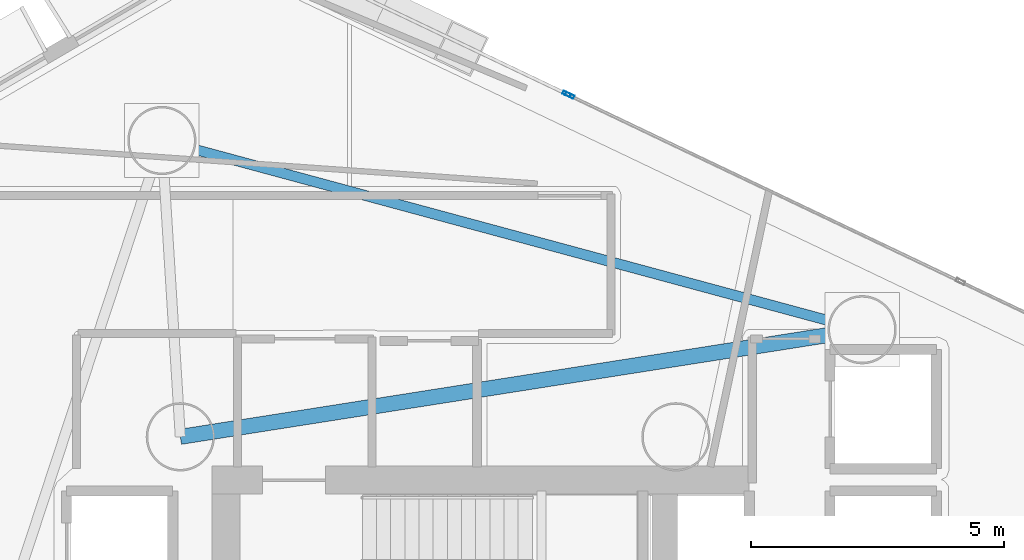
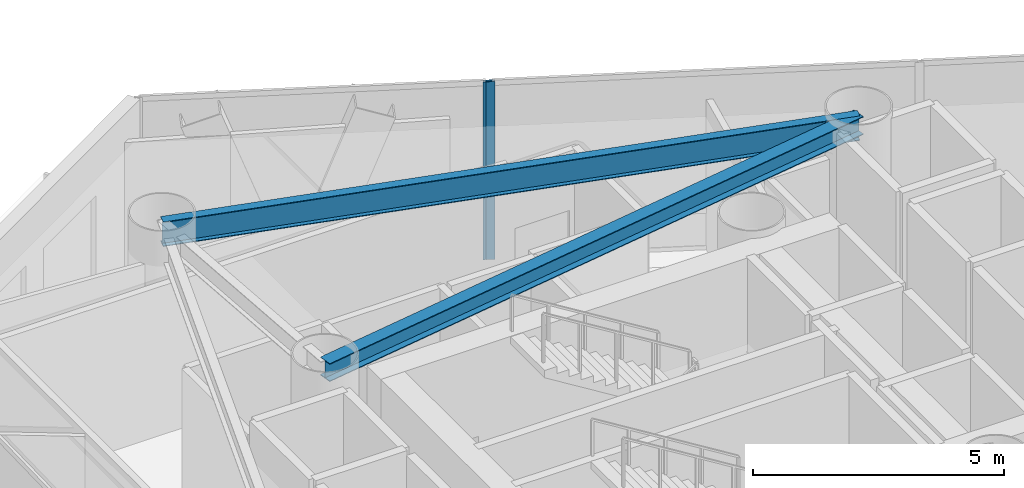
# One storey, part 10 of 21: 2 beams, 2 members, 2 elements without a shape of their own.
"""IFC4 building model written with IfcOpenShell, lengths in metres."""

from ifc_helpers import new_model, si_unit, direction, frame, origin, origin_2d, place, context, subcontext, project, spatial, hollow_rectangle, i_section, extrude, material, layer, layer_set, material_profile, profile_set, type_object, element, aggregate, save


model = new_model("IFC4")

# Units and contexts
model_context = context("Model", 3, precision=1e-05, world=origin(), true_north=direction((0.0, 1.0)))
body_context = subcontext(model_context, "Body", "Model", "MODEL_VIEW")
ifc_project = project(units=[si_unit("LENGTHUNIT", "METRE"), si_unit("AREAUNIT", "SQUARE_METRE"), si_unit("VOLUMEUNIT", "CUBIC_METRE"), si_unit("PLANEANGLEUNIT", "RADIAN"), si_unit("MASSUNIT", "GRAM", prefix="KILO")], contexts=[model_context])

# Site, building, storey
site_placement = place(None, origin())
site = spatial("IfcSite", under=ifc_project, at=site_placement, CompositionType="ELEMENT")
building_placement = place(site_placement, origin())
building = spatial("IfcBuilding", under=site, at=building_placement, Name="Qianvela Tower", CompositionType="ELEMENT")
storey_placement = place(building_placement, frame((0.0, 0.0, 143.10009765625)))
storey = spatial("IfcBuildingStorey", under=building, at=storey_placement, Name="L36", CompositionType="ELEMENT", Elevation=143.10009765625)

# Beams
ifc_material_1 = material(Name="Steel Q355B", Category="steel")
ifc_material_profile_1 = material_profile(ifc_material_1, i_section(OverallWidth=0.300048828125, OverallDepth=0.43994140625, WebThickness=0.010986328125, FlangeThickness=0.01806640625, at=origin_2d()), Name="HM440x300x11x18")
ifc_profile_set_1 = profile_set([ifc_material_profile_1], Name="Steel Q355B")
beam_type_1 = type_object("IfcBeamType", Name="BM-HM440-COLL", PredefinedType="BEAM", material=ifc_profile_set_1)
beam_1_placement = place(storey_placement, frame((28.60009765625, 33.550048828125, 4.097900390625), z_axis=(0.98787540104, 0.155248806823, 0.0), x_axis=(-0.155248806823, 0.98787540104, 0.0)))
element("IfcBeam", 1, at=beam_1_placement, inside=storey, type_object=beam_type_1, Name="L36 Perimeter Ring Tie Girder 1B", PredefinedType="BEAM", context=body_context, shape_type="SweptSolid", body=[
    extrude(i_section(OverallWidth=0.300048828125, OverallDepth=0.43994140625, WebThickness=0.010986328125, FlangeThickness=0.01806640625, at=origin_2d()), origin(), (0.0, 0.0, 1.0), 13.6484375),
])
ifc_material_2 = material(Name="Steel Q355B", Category="steel")
ifc_material_profile_2 = material_profile(ifc_material_2, i_section(OverallWidth=0.199951171875, OverallDepth=0.60009765625, WebThickness=0.010986328125, FlangeThickness=0.01708984375, at=origin_2d()), Name="HN600x200x11x17")
ifc_profile_set_2 = profile_set([ifc_material_profile_2], Name="Steel Q355B")
beam_type_2 = type_object("IfcBeamType", Name="BM-HN600-GIRD", PredefinedType="BEAM", material=ifc_profile_set_2)
beam_2_placement = place(storey_placement, frame((42.0830078125, 35.6689453125, 4.017822265625), z_axis=(-0.965376252239, 0.260861441407, 0.0), x_axis=(-0.260861441407, -0.965376252239, 0.0)))
element("IfcBeam", 2, at=beam_2_placement, inside=storey, type_object=beam_type_2, Name="L36 Perimeter Ring Spandrel Girder 2", PredefinedType="BEAM", context=body_context, shape_type="SweptSolid", body=[
    extrude(i_section(OverallWidth=0.199951171875, OverallDepth=0.60009765625, WebThickness=0.010986328125, FlangeThickness=0.01708984375, at=origin_2d()), origin(), (0.0, 0.0, 1.0), 14.344482421875),
])

# Curtain wall, member
ifc_material_3 = material(Name="Anodised Architectural Aluminium and Insulated Spandrel Panel", Category="aluminium")
ifc_layer_1 = layer(ifc_material_3, 0.179931640625)
ifc_layer_set_1 = layer_set([ifc_layer_1], Name="Anodised Architectural Aluminium and Insulated Spandrel Panel")
curtain_wall_type_1 = type_object("IfcCurtainWallType", Name="CW-BRACEBAY", PredefinedType="USERDEFINED", material=ifc_layer_set_1)
curtain_wall_1_placement = place(storey_placement, origin())
curtain_wall_1 = element("IfcCurtainWall", 3, at=curtain_wall_1_placement, inside=storey, type_object=curtain_wall_type_1, Name="L36 CW-BRACEBAY Curtain Wall 02B", ObjectType="CURTAIN_WALL_SYSTEM", PredefinedType="USERDEFINED")
ifc_material_4 = material(Name="Anodised Architectural Aluminium 6063-T6", Category="aluminium")
ifc_material_profile_3 = material_profile(ifc_material_4, hollow_rectangle(XDim=0.06494140625, YDim=0.159912109375, WallThickness=0.0048828125, at=origin_2d()), Name="ALU-MULL-65x160")
ifc_profile_set_3 = profile_set([ifc_material_profile_3], Name="Anodised Architectural Aluminium 6063-T6")
member_type_1 = type_object("IfcMemberType", Name="CW-BRACEBAY-MULL", PredefinedType="MULLION", material=ifc_profile_set_3)
member_1_placement = place(storey_placement, frame((36.239013671875, 40.33154296875, 0.0), z_axis=(0.0, 0.0, 1.0), x_axis=(-0.430086564081, -0.902787653547, 0.0)))
member_1 = element("IfcMember", 4, at=member_1_placement, type_object=member_type_1, Name="CW-9 mullion 1", PredefinedType="MULLION", context=body_context, shape_type="SweptSolid", body=[
    extrude(hollow_rectangle(XDim=0.06494140625, YDim=0.159912109375, WallThickness=0.0048828125, at=origin_2d()), origin(), (0.0, 0.0, 1.0), 4.31982421875),
])
aggregate(curtain_wall_1, [member_1])

ifc_material_5 = material(Name="Anodised Architectural Aluminium and Low-E Glass", Category="aluminium")
ifc_layer_2 = layer(ifc_material_5, 0.18994140625)
ifc_layer_set_2 = layer_set([ifc_layer_2], Name="Anodised Architectural Aluminium and Low-E Glass")
curtain_wall_type_2 = type_object("IfcCurtainWallType", Name="CW-SKYLOBBY", PredefinedType="USERDEFINED", material=ifc_layer_set_2)
curtain_wall_2_placement = place(storey_placement, origin())
curtain_wall_2 = element("IfcCurtainWall", 5, at=curtain_wall_2_placement, inside=storey, type_object=curtain_wall_type_2, Name="L36 CW-SKYLOBBY Curtain Wall 02A", ObjectType="CURTAIN_WALL_SYSTEM", PredefinedType="USERDEFINED")
ifc_material_6 = material(Name="Anodised Architectural Aluminium 6063-T6", Category="aluminium")
ifc_material_profile_4 = material_profile(ifc_material_6, hollow_rectangle(XDim=0.070068359375, YDim=0.179931640625, WallThickness=0.0048828125, at=origin_2d()), Name="ALU-MULL-70x180")
ifc_profile_set_4 = profile_set([ifc_material_profile_4], Name="Anodised Architectural Aluminium 6063-T6")
member_type_2 = type_object("IfcMemberType", Name="CW-SKYLOBBY-MULL", PredefinedType="MULLION", material=ifc_profile_set_4)
member_2_placement = place(storey_placement, frame((36.300048828125, 40.302490234375, 0.0), z_axis=(0.0, 0.0, 1.0), x_axis=(-0.430088209354, -0.90278686974, 0.0)))
member_2 = element("IfcMember", 6, at=member_2_placement, type_object=member_type_2, Name="CW-7 mullion 4", PredefinedType="MULLION", context=body_context, shape_type="SweptSolid", body=[
    extrude(hollow_rectangle(XDim=0.070068359375, YDim=0.179931640625, WallThickness=0.0048828125, at=origin_2d()), origin(), (0.0, 0.0, 1.0), 4.31982421875),
])
aggregate(curtain_wall_2, [member_2])

save(model, "model.ifc")
